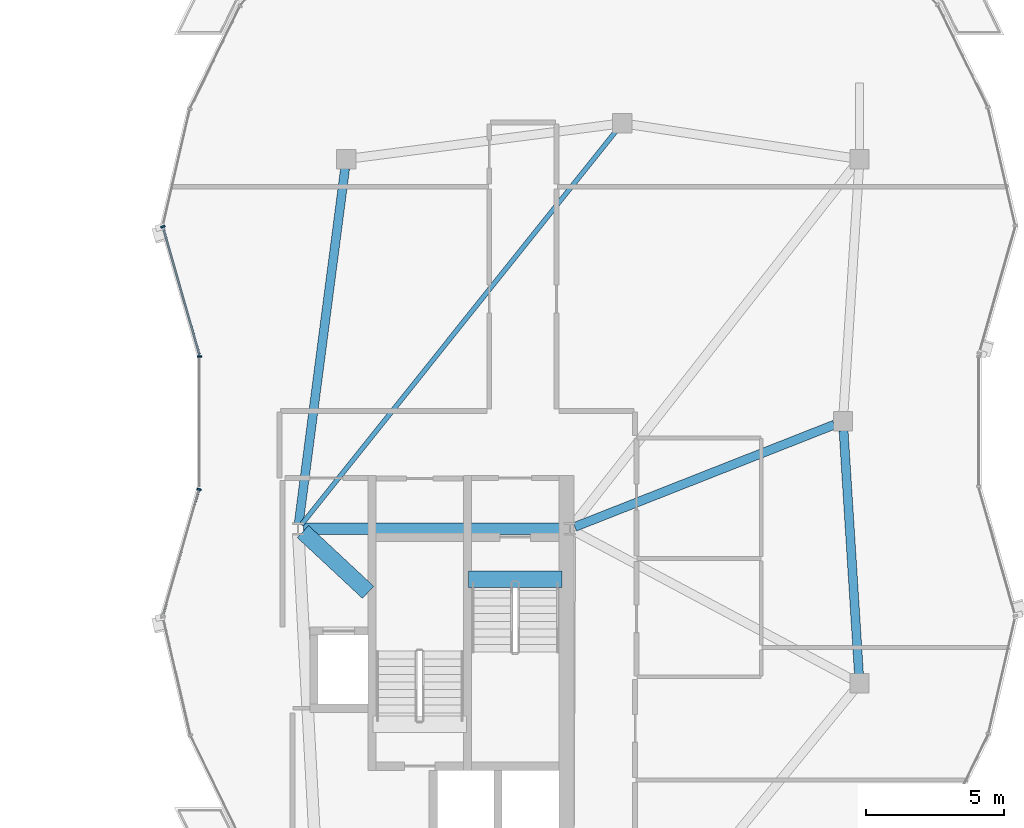
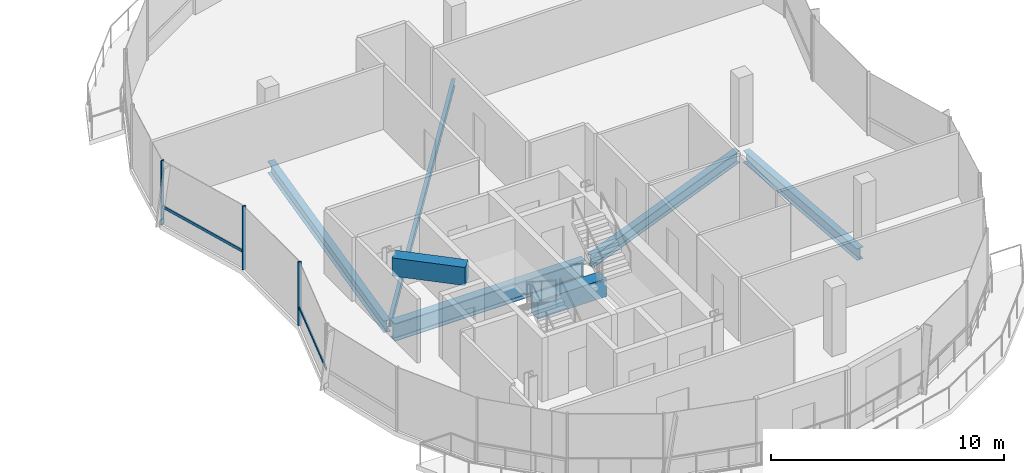
# One storey, part 7 of 20: 7 beams, 5 members, 1 element without a shape of its own.
"""IFC4 building model written with IfcOpenShell, lengths in metres."""

from ifc_helpers import new_model, si_unit, direction, frame, origin, origin_2d, place, context, subcontext, project, spatial, rectangle, i_section, extrude, material, material_profile, profile_set, type_object, element, aggregate, save


model = new_model("IFC4")

# Units and contexts
model_context = context("Model", 3, precision=1e-05, world=origin(), true_north=direction((0.0, 1.0)))
body_context = subcontext(model_context, "Body", "Model", "MODEL_VIEW")
ifc_project = project(units=[si_unit("LENGTHUNIT", "METRE"), si_unit("AREAUNIT", "SQUARE_METRE"), si_unit("VOLUMEUNIT", "CUBIC_METRE"), si_unit("PLANEANGLEUNIT", "RADIAN"), si_unit("MASSUNIT", "GRAM", prefix="KILO"), si_unit("THERMODYNAMICTEMPERATUREUNIT", "KELVIN"), si_unit("POWERUNIT", "WATT")], contexts=[model_context])

# Site, building, storey
site_placement = place(None, origin())
site = spatial("IfcSite", under=ifc_project, at=site_placement, CompositionType="ELEMENT")
building_placement = place(site_placement, origin())
building = spatial("IfcBuilding", under=site, at=building_placement, Name="Cundina Bronze Exchange", CompositionType="ELEMENT")
storey_placement = place(building_placement, frame((0.0, 0.0, 279.199951171875)))
storey = spatial("IfcBuildingStorey", under=building, at=storey_placement, Name="L74", CompositionType="ELEMENT", Elevation=279.199951171875)

# Beams
ifc_material_1 = material(Name="Concrete C60/75", Category="concrete")
ifc_material_profile_1 = material_profile(ifc_material_1, rectangle(XDim=0.60009765625, YDim=0.949951171875, at=origin_2d()), Name="RC600X950", Category="concrete")
ifc_profile_set_1 = profile_set([ifc_material_profile_1], Name="Concrete C60/75")
beam_type_1 = type_object("IfcBeamType", Name="BM-COUP-RC950", PredefinedType="LINTEL", material=ifc_profile_set_1)
beam_1_placement = place(storey_placement, frame((27.6201171875, -5.719970703125, -0.474853515625), z_axis=(1.0, 0.0, 0.0), x_axis=(0.0, 1.0, 0.0)))
element("IfcBeam", 1, at=beam_1_placement, inside=storey, type_object=beam_type_1, Name="L74 Stair E1 Landing Header Beam", PredefinedType="LINTEL", context=body_context, shape_type="SweptSolid", body=[
    extrude(rectangle(XDim=0.60009765625, YDim=0.949951171875, at=origin_2d()), origin(), (0.0, 0.0, 1.0), 3.39990234375),
])
beam_2_placement = place(storey_placement, frame((21.6298828125, -4.0, 2.864990234375), z_axis=(0.731490439815, -0.681851696822, 0.0), x_axis=(0.681851696822, 0.731490439815, 0.0)))
element("IfcBeam", 2, at=beam_2_placement, inside=storey, type_object=beam_type_1, Name="L74 E Core Shear Coupling Lintel Beam", PredefinedType="LINTEL", context=body_context, shape_type="SweptSolid", body=[
    extrude(rectangle(XDim=0.60009765625, YDim=0.949951171875, at=origin_2d()), origin(), (0.0, 0.0, 1.0), 3.226318359375),
])
ifc_material_2 = material(Name="Steel ASTM A992 Grade 50", Category="steel")
ifc_material_profile_2 = material_profile(ifc_material_2, i_section(OverallWidth=0.172119140625, OverallDepth=0.35791015625, WebThickness=0.0078125, FlangeThickness=0.01318359375, FilletRadius=0.010009765625, at=origin_2d()), Name="W14X38", Category="steel")
ifc_profile_set_2 = profile_set([ifc_material_profile_2], Name="Steel ASTM A992 Grade 50")
beam_type_2 = type_object("IfcBeamType", Name="BM-JST-W14", PredefinedType="JOIST", material=ifc_profile_set_2)
beam_3_placement = place(storey_placement, frame((21.572509765625, -3.746826171875, -0.43896484375), z_axis=(0.624372589071, 0.781126667076, 0.0), x_axis=(-0.781126667076, 0.624372589071, 0.0)))
element("IfcBeam", 3, at=beam_3_placement, inside=storey, type_object=beam_type_2, Name="L74 E Interior Core-to-Ring Joist 2", PredefinedType="JOIST", context=body_context, shape_type="SweptSolid", body=[
    extrude(i_section(OverallWidth=0.172119140625, OverallDepth=0.35791015625, WebThickness=0.0078125, FlangeThickness=0.01318359375, FilletRadius=0.010009765625, at=origin_2d()), origin(), (0.0, 0.0, 1.0), 18.28466796875),
])
ifc_material_profile_3 = material_profile(ifc_material_2, i_section(OverallWidth=0.324951171875, OverallDepth=0.615966796875, WebThickness=0.013916015625, FlangeThickness=0.021484375, FilletRadius=0.01611328125, at=origin_2d()), Name="W24X117", Category="steel")
ifc_profile_set_3 = profile_set([ifc_material_profile_3], Name="Steel ASTM A992 Grade 50")
beam_type_3 = type_object("IfcBeamType", Name="BM-RING-W24", PredefinedType="USERDEFINED", material=ifc_profile_set_3)
beam_4_placement = place(storey_placement, frame((41.77880859375, -9.16259765625, -0.56787109375), z_axis=(-0.063058935332, 0.998009804899, 0.0), x_axis=(-0.998009804899, -0.063058935332, 0.0)))
element("IfcBeam", 4, at=beam_4_placement, inside=storey, type_object=beam_type_3, Name="L74 E Inner Structural Ring Girder 03", ObjectType="GIRDER", PredefinedType="USERDEFINED", context=body_context, shape_type="SweptSolid", body=[
    extrude(i_section(OverallWidth=0.324951171875, OverallDepth=0.615966796875, WebThickness=0.013916015625, FlangeThickness=0.021484375, FilletRadius=0.01611328125, at=origin_2d()), origin(), (0.0, 0.0, 1.0), 8.8427734375),
])
beam_5_placement = place(storey_placement, frame((23.15625, 9.164794921875, -0.56787109375), z_axis=(-0.12950080795, -0.991579316414, 0.0), x_axis=(0.991579316414, -0.12950080795, 0.0)))
element("IfcBeam", 5, at=beam_5_placement, inside=storey, type_object=beam_type_3, Name="L74 E Inner Structural Ring Girder 07", ObjectType="GIRDER", PredefinedType="USERDEFINED", context=body_context, shape_type="SweptSolid", body=[
    extrude(i_section(OverallWidth=0.324951171875, OverallDepth=0.615966796875, WebThickness=0.013916015625, FlangeThickness=0.021484375, FilletRadius=0.01611328125, at=origin_2d()), origin(), (0.0, 0.0, 1.0), 12.97998046875),
])
beam_6_placement = place(storey_placement, frame((31.482421875, -3.828125, -0.56787109375), z_axis=(0.93040489789, 0.366533389996, 0.0), x_axis=(-0.366533389996, 0.93040489789, 0.0)))
element("IfcBeam", 6, at=beam_6_placement, inside=storey, type_object=beam_type_3, Name="L74 E Core-to-Waist Tie Beam 1", ObjectType="GIRDER", PredefinedType="USERDEFINED", context=body_context, shape_type="SweptSolid", body=[
    extrude(i_section(OverallWidth=0.324951171875, OverallDepth=0.615966796875, WebThickness=0.013916015625, FlangeThickness=0.021484375, FilletRadius=0.01611328125, at=origin_2d()), origin(), (0.0, 0.0, 1.0), 10.1064453125),
])
ifc_material_profile_4 = material_profile(ifc_material_2, i_section(OverallWidth=0.41796875, OverallDepth=0.927001953125, WebThickness=0.019287109375, FlangeThickness=0.031982421875, FilletRadius=0.02392578125, at=origin_2d()), Name="W36X231", Category="steel")
ifc_profile_set_4 = profile_set([ifc_material_profile_4], Name="Steel ASTM A992 Grade 50")
beam_type_4 = type_object("IfcBeamType", Name="BM-WRN-W36B", PredefinedType="USERDEFINED", material=ifc_profile_set_4)
beam_7_placement = place(storey_placement, frame((31.10400390625, -3.89990234375, -0.723388671875), z_axis=(-1.0, 0.0, 0.0), x_axis=(0.0, -1.0, 0.0)))
element("IfcBeam", 7, at=beam_7_placement, inside=storey, type_object=beam_type_4, Name="L74 E Core Perimeter Tie Girder 1", ObjectType="GIRDER", PredefinedType="USERDEFINED", context=body_context, shape_type="SweptSolid", body=[
    extrude(i_section(OverallWidth=0.41796875, OverallDepth=0.927001953125, WebThickness=0.019287109375, FlangeThickness=0.031982421875, FilletRadius=0.02392578125, at=origin_2d()), origin(), (0.0, 0.0, 1.0), 9.4580078125),
])

# Curtain wall, members
ifc_material_3 = material(Name="Anodised Bronze Aluminium 6063-T6", Category="aluminium")
curtain_wall_type = type_object("IfcCurtainWallType", Name="CWS-CRN-TMD", PredefinedType="NOTDEFINED", material=ifc_material_3)
curtain_wall_placement = place(storey_placement, origin())
curtain_wall = element("IfcCurtainWall", 8, at=curtain_wall_placement, inside=storey, type_object=curtain_wall_type, Name="L74 CW-07 Curtain Wall Run CWR-L74-E2", PredefinedType="NOTDEFINED")
ifc_material_profile_5 = material_profile(ifc_material_3, rectangle(XDim=0.06494140625, YDim=0.159912109375, at=origin_2d()), Name="AL65X160", Category="aluminium")
ifc_profile_set_5 = profile_set([ifc_material_profile_5], Name="Anodised Bronze Aluminium 6063-T6")
member_type_1 = type_object("IfcMemberType", Name="CWM-MUL-160", PredefinedType="MULLION", material=ifc_profile_set_5)
member_1_placement = place(storey_placement, frame((16.5546875, 7.0517578125, 0.0), z_axis=(0.0, 0.0, 1.0), x_axis=(0.274630573972, -0.961549815579, 0.0)))
member_1 = element("IfcMember", 9, at=member_1_placement, type_object=member_type_1, Name="CW-07 Mullion 5", PredefinedType="MULLION", context=body_context, shape_type="SweptSolid", body=[
    extrude(rectangle(XDim=0.06494140625, YDim=0.159912109375, at=origin_2d()), origin(), (0.0, 0.0, 1.0), 3.340087890625),
])
member_2_placement = place(storey_placement, frame((17.8798828125, 2.3505859375, 0.0), z_axis=(0.0, 0.0, 1.0), x_axis=(0.0, -1.0, 0.0)))
member_2 = element("IfcMember", 10, at=member_2_placement, type_object=member_type_1, Name="CW-07 Mullion 6", PredefinedType="MULLION", context=body_context, shape_type="SweptSolid", body=[
    extrude(rectangle(XDim=0.06494140625, YDim=0.159912109375, at=origin_2d()), origin(), (0.0, 0.0, 1.0), 3.340087890625),
])
member_3_placement = place(storey_placement, frame((17.86376953125, -2.46728515625, 0.0), z_axis=(0.0, 0.0, 1.0), x_axis=(-0.274630573972, -0.961549815579, 0.0)))
member_3 = element("IfcMember", 11, at=member_3_placement, type_object=member_type_1, Name="CW-07 Mullion 7", PredefinedType="MULLION", context=body_context, shape_type="SweptSolid", body=[
    extrude(rectangle(XDim=0.06494140625, YDim=0.159912109375, at=origin_2d()), origin(), (0.0, 0.0, 1.0), 3.340087890625),
])
ifc_material_profile_6 = material_profile(ifc_material_3, rectangle(XDim=0.06494140625, YDim=0.14990234375, at=origin_2d()), Name="AL65X150", Category="aluminium")
ifc_profile_set_6 = profile_set([ifc_material_profile_6], Name="Anodised Bronze Aluminium 6063-T6")
member_type_2 = type_object("IfcMemberType", Name="CWM-TRN-150", PredefinedType="USERDEFINED", material=ifc_profile_set_6)
member_4_placement = place(storey_placement, frame((16.564453125, 7.017333984375, 0.920166015625), z_axis=(0.27457233424, -0.961566447662, 0.0), x_axis=(0.961566447662, 0.27457233424, 0.0)))
member_4 = element("IfcMember", 12, at=member_4_placement, type_object=member_type_2, Name="CW-07 Spandrel Transom 5", ObjectType="TRANSOM", PredefinedType="USERDEFINED", context=body_context, shape_type="SweptSolid", body=[
    extrude(rectangle(XDim=0.06494140625, YDim=0.14990234375, at=origin_2d()), origin(), (0.0, 0.0, 1.0), 4.767822265625),
])
member_5_placement = place(storey_placement, frame((17.853759765625, -2.501708984375, 0.920166015625), z_axis=(-0.274549464506, -0.96157297775, 0.0), x_axis=(0.96157297775, -0.274549464506, 0.0)))
member_5 = element("IfcMember", 13, at=member_5_placement, type_object=member_type_2, Name="CW-07 Spandrel Transom 7", ObjectType="TRANSOM", PredefinedType="USERDEFINED", context=body_context, shape_type="SweptSolid", body=[
    extrude(rectangle(XDim=0.06494140625, YDim=0.14990234375, at=origin_2d()), origin(), (0.0, 0.0, 1.0), 4.696044921875),
])
aggregate(curtain_wall, [member_1, member_4, member_2, member_3, member_5])

save(model, "model.ifc")
